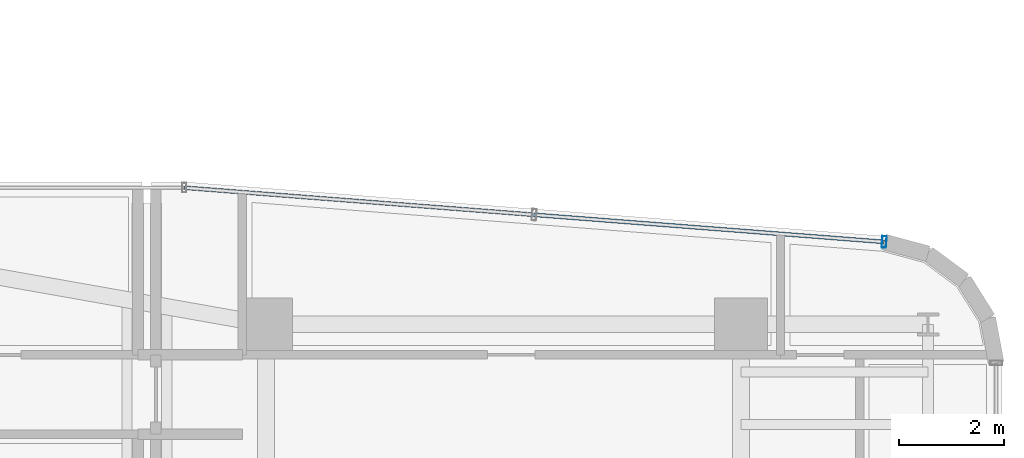
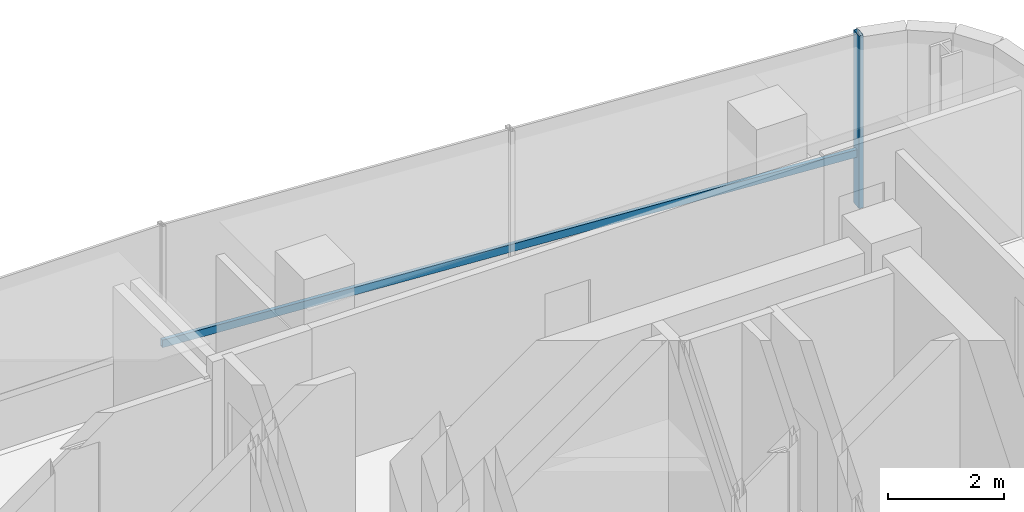
# One storey, part 24 of 37: 2 members, 1 element without a shape of its own.
"""IFC4 building model written with IfcOpenShell, lengths in metres."""

from ifc_helpers import new_model, si_unit, direction, frame, origin, origin_2d, place, context, subcontext, project, spatial, hollow_rectangle, extrude, source, transform, mapped, material, material_profile, profile_set, type_object, element, aggregate, save


model = new_model("IFC4")

# Units and contexts
model_context = context("Model", 3, precision=1e-05, world=origin(), true_north=direction((0.0, 1.0)))
body_context = subcontext(model_context, "Body", "Model", "MODEL_VIEW")
ifc_project = project(units=[si_unit("LENGTHUNIT", "METRE"), si_unit("AREAUNIT", "SQUARE_METRE"), si_unit("VOLUMEUNIT", "CUBIC_METRE"), si_unit("PLANEANGLEUNIT", "RADIAN"), si_unit("MASSUNIT", "GRAM", prefix="KILO")], contexts=[model_context])

# Site, building, storey
site_placement = place(None, origin())
site = spatial("IfcSite", under=ifc_project, at=site_placement, CompositionType="ELEMENT")
building_placement = place(site_placement, origin())
building = spatial("IfcBuilding", under=site, at=building_placement, Name="Valdorenza Pilgrim Sanctuary Tower", CompositionType="ELEMENT")
storey_placement = place(building_placement, frame((0.0, 0.0, 188.39990234375)))
storey = spatial("IfcBuildingStorey", under=building, at=storey_placement, Name="L48", CompositionType="ELEMENT", Elevation=188.39990234375)

# Curtain wall, members
ifc_material_1 = material(Name="Curtain-wall IGU glazing", Category="glass")
curtain_wall_type = type_object("IfcCurtainWallType", Name="CW-SYS-03", PredefinedType="NOTDEFINED", material=ifc_material_1)
curtain_wall_placement = place(storey_placement, origin())
curtain_wall = element("IfcCurtainWall", 1, at=curtain_wall_placement, inside=storey, type_object=curtain_wall_type, Name="L48 Curtain Wall CW-L48-1-32", PredefinedType="NOTDEFINED")
ifc_material_2 = material(Name="Anodised aluminium AW-6060", Category="aluminium")
ifc_material_profile_1 = material_profile(ifc_material_2, hollow_rectangle(XDim=0.074951171875, YDim=0.159912109375, WallThickness=0.00390625, at=origin_2d()), Name="ALU-T 160x75x4")
ifc_profile_set_1 = profile_set([ifc_material_profile_1], Name="Anodised aluminium AW-6060")
member_type_1 = type_object("IfcMemberType", Name="CW-TRN-03", PredefinedType="USERDEFINED", material=ifc_profile_set_1)
shared_shape_1 = source(origin(), body_context, "Body", "SweptSolid", [
    extrude(hollow_rectangle(XDim=0.074951171875, YDim=0.159912109375, WallThickness=0.00390625, at=origin_2d()), origin(), (0.0, 0.0, 1.0), 13.310546875),
])
member_1_placement = place(storey_placement, frame((14.295654296875, 16.090087890625, 1.1201171875), z_axis=(0.997015515781, -0.077201433227, 0.0), x_axis=(0.077201433227, 0.997015515781, 0.0)))
member_1 = element("IfcMember", 2, at=member_1_placement, type_object=member_type_1, Name="CW-L48-1-32 Transom 1", ObjectType="TRANSOM", PredefinedType="USERDEFINED", context=body_context, shape_type="MappedRepresentation", body=[
    mapped(shared_shape_1, transform((0.0, 0.0, 0.0), x_axis=(1.0, 0.0, 0.0), y_axis=(0.0, 1.0, 0.0), z_axis=(0.0, 0.0, 1.0), scale=1.0)),
])
ifc_material_profile_2 = material_profile(ifc_material_2, hollow_rectangle(XDim=0.0849609375, YDim=0.219970703125, WallThickness=0.0048828125, at=origin_2d()), Name="ALU-M 220x85x5")
ifc_profile_set_2 = profile_set([ifc_material_profile_2], Name="Anodised aluminium AW-6060")
member_type_2 = type_object("IfcMemberType", Name="CW-MUL-03", PredefinedType="MULLION", material=ifc_profile_set_2)
shared_shape_2 = source(origin(), body_context, "Body", "SweptSolid", [
    extrude(hollow_rectangle(XDim=0.0849609375, YDim=0.219970703125, WallThickness=0.0048828125, at=origin_2d()), origin(), (0.0, 0.0, 1.0), 3.630126953125),
])
member_2_placement = place(storey_placement, frame((27.56640625, 15.0625, 0.0), z_axis=(0.0, 0.0, 1.0), x_axis=(0.997016488532, -0.077188869631, 0.0)))
member_2 = element("IfcMember", 3, at=member_2_placement, type_object=member_type_2, Name="CW-L48-1-32 Mullion 3", PredefinedType="MULLION", context=body_context, shape_type="MappedRepresentation", body=[
    mapped(shared_shape_2, transform((0.0, 0.0, 0.0), x_axis=(1.0, 0.0, 0.0), y_axis=(0.0, 1.0, 0.0), z_axis=(0.0, 0.0, 1.0), scale=1.0)),
])
aggregate(curtain_wall, [member_2, member_1])

save(model, "model.ifc")
